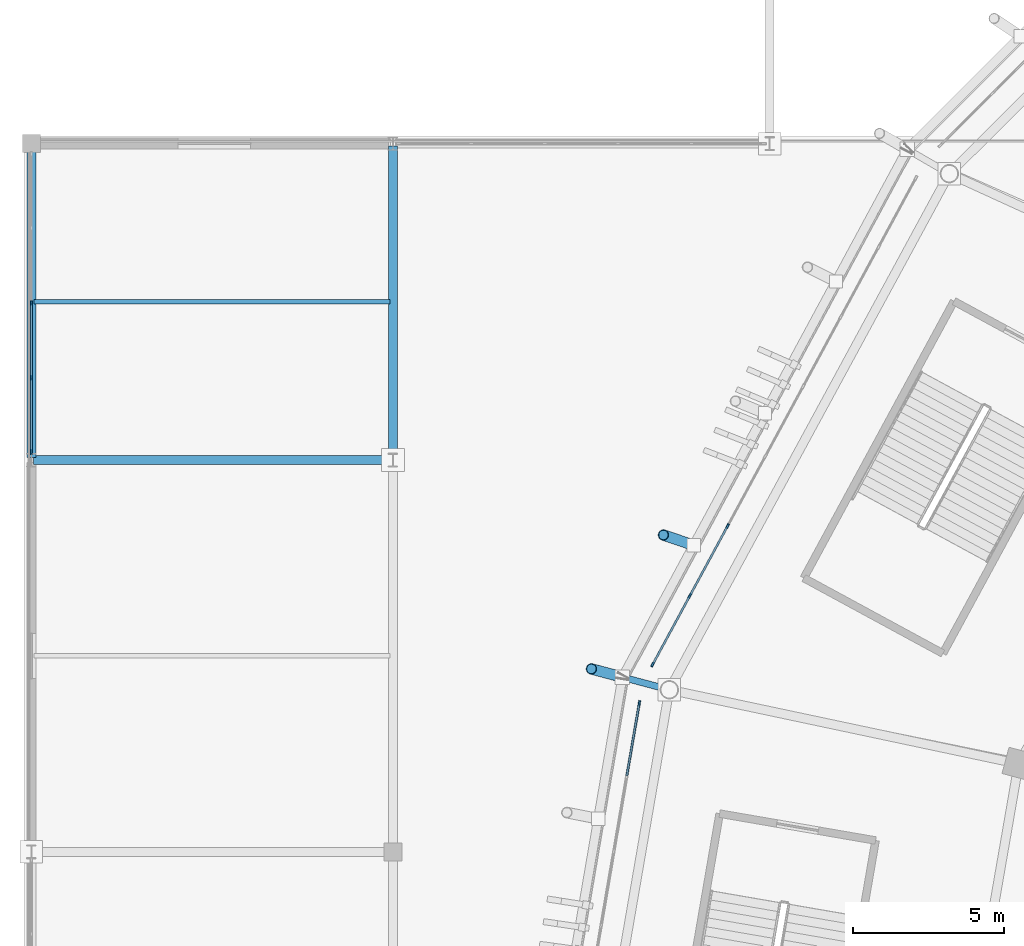
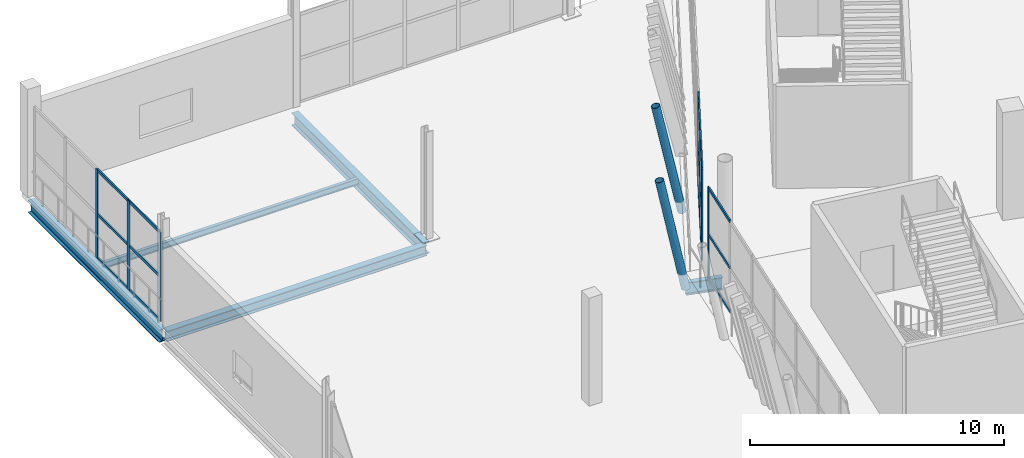
# One storey, part 43 of 178: 24 members, 5 beams, 3 elements without a shape of their own.
"""IFC4 building model written with IfcOpenShell, lengths in metres."""

from ifc_helpers import new_model, si_unit, direction, frame, origin, origin_2d, place, context, subcontext, project, spatial, rectangle, hollow_circle, i_section, extrude, material, material_profile, profile_set, type_object, element, aggregate, save


model = new_model("IFC4")

# Units and contexts
model_context = context("Model", 3, precision=1e-05, world=origin(), true_north=direction((0.0, 1.0)))
body_context = subcontext(model_context, "Body", "Model", "MODEL_VIEW")
ifc_project = project(units=[si_unit("LENGTHUNIT", "METRE"), si_unit("AREAUNIT", "SQUARE_METRE"), si_unit("VOLUMEUNIT", "CUBIC_METRE"), si_unit("PLANEANGLEUNIT", "RADIAN"), si_unit("MASSUNIT", "GRAM", prefix="KILO")], contexts=[model_context])

# Site, building, storey
site_placement = place(None, origin())
site = spatial("IfcSite", under=ifc_project, at=site_placement, CompositionType="ELEMENT")
building_placement = place(site_placement, origin())
building = spatial("IfcBuilding", under=site, at=building_placement, Name="Zlatoyarsky Gate Stadium", CompositionType="ELEMENT")
storey_placement = place(building_placement, frame((0.0, 0.0, 5.39990234375)))
storey = spatial("IfcBuildingStorey", under=building, at=storey_placement, Name="L01", CompositionType="ELEMENT", Elevation=5.39990234375)

# Curtain wall, members
ifc_material_1 = material(Name="Thermally broken anodised aluminium curtain wall", Category="aluminium")
curtain_wall_type_1 = type_object("IfcCurtainWallType", Name="UNITISED HOSPITALITY GLAZING L01", PredefinedType="USERDEFINED", material=ifc_material_1)
curtain_wall_1_placement = place(storey_placement, origin())
curtain_wall_1 = element("IfcCurtainWall", 1, at=curtain_wall_1_placement, inside=storey, type_object=curtain_wall_type_1, Name="Curtain wall CW-L01-10", ObjectType="UNITISED GLAZING", PredefinedType="USERDEFINED")
ifc_material_2 = material(Name="Anodised aluminium 6063-T6", Category="aluminium")
ifc_material_profile_1 = material_profile(ifc_material_2, rectangle(XDim=0.06494140625, YDim=0.159912109375, at=origin_2d()), Name="ALU 65X160")
ifc_profile_set_1 = profile_set([ifc_material_profile_1], Name="Anodised aluminium 6063-T6")
member_type_1 = type_object("IfcMemberType", Name="ALUMINIUM MULLION 65X160", PredefinedType="MULLION", material=ifc_profile_set_1)
member_1_placement = place(storey_placement, frame((23.1044921875, 103.8115234375, 0.0), z_axis=(0.0, 0.0, 1.0), x_axis=(0.879562033396, -0.475784225682, 0.0)))
member_1 = element("IfcMember", 2, at=member_1_placement, type_object=member_type_1, Name="CW-UG1 mullion 6", PredefinedType="MULLION", context=body_context, shape_type="SweptSolid", body=[
    extrude(rectangle(XDim=0.06494140625, YDim=0.159912109375, at=origin_2d()), origin(), (0.0, 0.0, 1.0), 4.400146484375),
])
member_2_placement = place(storey_placement, frame((21.8525390625, 101.497314453125, 0.0), z_axis=(0.0, 0.0, 1.0), x_axis=(0.879562033396, -0.475784225682, 0.0)))
member_2 = element("IfcMember", 3, at=member_2_placement, type_object=member_type_1, Name="CW-UG1 mullion 7", PredefinedType="MULLION", context=body_context, shape_type="SweptSolid", body=[
    extrude(rectangle(XDim=0.06494140625, YDim=0.159912109375, at=origin_2d()), origin(), (0.0, 0.0, 1.0), 4.400146484375),
])
member_3_placement = place(storey_placement, frame((20.6162109375, 99.211669921875, 0.0), z_axis=(0.0, 0.0, 1.0), x_axis=(0.879562033396, -0.475784225682, 0.0)))
member_3 = element("IfcMember", 4, at=member_3_placement, type_object=member_type_1, Name="CW-UG1 mullion 8", PredefinedType="MULLION", context=body_context, shape_type="SweptSolid", body=[
    extrude(rectangle(XDim=0.06494140625, YDim=0.159912109375, at=origin_2d()), origin(), (0.0, 0.0, 1.0), 4.400146484375),
])

# Curtain wall, member
curtain_wall_2_placement = place(storey_placement, origin())
curtain_wall_2 = element("IfcCurtainWall", 5, at=curtain_wall_2_placement, inside=storey, type_object=curtain_wall_type_1, Name="Curtain wall CW-L01-11", ObjectType="UNITISED GLAZING", PredefinedType="USERDEFINED")
member_4_placement = place(storey_placement, frame((20.17578125, 97.938720703125, 0.0), z_axis=(0.0, 0.0, 1.0), x_axis=(0.985538549547, -0.169451371657, 0.0)))
member_4 = element("IfcMember", 6, at=member_4_placement, type_object=member_type_1, Name="CW-UG1 mullion 1", PredefinedType="MULLION", context=body_context, shape_type="SweptSolid", body=[
    extrude(rectangle(XDim=0.06494140625, YDim=0.159912109375, at=origin_2d()), origin(), (0.0, 0.0, 1.0), 4.400146484375),
])

# Curtain wall, members
curtain_wall_type_2 = type_object("IfcCurtainWallType", Name="WINTER GARDEN CONSERVATORY GLAZING", PredefinedType="USERDEFINED", material=ifc_material_1)
curtain_wall_3_placement = place(storey_placement, origin())
curtain_wall_3 = element("IfcCurtainWall", 7, at=curtain_wall_3_placement, inside=storey, type_object=curtain_wall_type_2, Name="Curtain wall CW-V4_WEST-L01-167", ObjectType="UNITISED GLAZING", PredefinedType="USERDEFINED")
member_5_placement = place(storey_placement, frame((0.0, 106.26953125, 0.0), z_axis=(0.0, 0.0, 1.0), x_axis=(-1.0, 0.0, 0.0)))
member_5 = element("IfcMember", 8, at=member_5_placement, type_object=member_type_1, Name="CW-WG1 mullion 1", PredefinedType="MULLION", context=body_context, shape_type="SweptSolid", body=[
    extrude(rectangle(XDim=0.06494140625, YDim=0.159912109375, at=origin_2d()), origin(), (0.0, 0.0, 1.0), 4.300048828125),
])
member_6_placement = place(storey_placement, frame((0.0, 108.724853515625, 0.0), z_axis=(0.0, 0.0, 1.0), x_axis=(-1.0, 0.0, 0.0)))
member_6 = element("IfcMember", 9, at=member_6_placement, type_object=member_type_1, Name="CW-WG1 mullion 2", PredefinedType="MULLION", context=body_context, shape_type="SweptSolid", body=[
    extrude(rectangle(XDim=0.06494140625, YDim=0.159912109375, at=origin_2d()), origin(), (0.0, 0.0, 1.0), 4.300048828125),
])
member_7_placement = place(storey_placement, frame((0.0, 111.21240234375, 0.0), z_axis=(0.0, 0.0, 1.0), x_axis=(-1.0, 0.0, 0.0)))
member_7 = element("IfcMember", 10, at=member_7_placement, type_object=member_type_1, Name="CW-WG1 mullion 3", PredefinedType="MULLION", context=body_context, shape_type="SweptSolid", body=[
    extrude(rectangle(XDim=0.06494140625, YDim=0.159912109375, at=origin_2d()), origin(), (0.0, 0.0, 1.0), 4.300048828125),
])

# Member
ifc_material_profile_2 = material_profile(ifc_material_2, rectangle(XDim=0.06494140625, YDim=0.139892578125, at=origin_2d()), Name="ALU 65X140")
ifc_profile_set_2 = profile_set([ifc_material_profile_2], Name="Anodised aluminium 6063-T6")
member_type_2 = type_object("IfcMemberType", Name="ALUMINIUM TRANSOM 65X140", PredefinedType="USERDEFINED", material=ifc_profile_set_2)
member_8_placement = place(storey_placement, frame((23.0888671875, 103.782958984375, 0.03271484375), z_axis=(-0.475789628306, -0.879559110916, 0.0), x_axis=(0.879559110916, -0.475789628306, 0.0)))
member_8 = element("IfcMember", 11, at=member_8_placement, type_object=member_type_2, Name="CW-UG1 transom 6.1", ObjectType="TRANSOM", PredefinedType="USERDEFINED", context=body_context, shape_type="SweptSolid", body=[
    extrude(rectangle(XDim=0.06494140625, YDim=0.139892578125, at=origin_2d()), origin(), (0.0, 0.0, 1.0), 2.566162109375),
])

member_9_placement = place(storey_placement, frame((23.0888671875, 103.782958984375, 2.150146484375), z_axis=(-0.475789628306, -0.879559110916, 0.0), x_axis=(0.879559110916, -0.475789628306, 0.0)))
member_9 = element("IfcMember", 12, at=member_9_placement, type_object=member_type_2, Name="CW-UG1 transom 6.2", ObjectType="TRANSOM", PredefinedType="USERDEFINED", context=body_context, shape_type="SweptSolid", body=[
    extrude(rectangle(XDim=0.06494140625, YDim=0.139892578125, at=origin_2d()), origin(), (0.0, 0.0, 1.0), 2.566162109375),
])

member_10_placement = place(storey_placement, frame((23.0888671875, 103.782958984375, 4.36767578125), z_axis=(-0.475789628306, -0.879559110916, 0.0), x_axis=(0.879559110916, -0.475789628306, 0.0)))
member_10 = element("IfcMember", 13, at=member_10_placement, type_object=member_type_2, Name="CW-UG1 transom 6.3", ObjectType="TRANSOM", PredefinedType="USERDEFINED", context=body_context, shape_type="SweptSolid", body=[
    extrude(rectangle(XDim=0.06494140625, YDim=0.139892578125, at=origin_2d()), origin(), (0.0, 0.0, 1.0), 2.566162109375),
])

member_11_placement = place(storey_placement, frame((21.837158203125, 101.46875, 0.03271484375), z_axis=(-0.475811253632, -0.879547412546, 0.0), x_axis=(0.879547412546, -0.475811253632, 0.0)))
member_11 = element("IfcMember", 14, at=member_11_placement, type_object=member_type_2, Name="CW-UG1 transom 7.1", ObjectType="TRANSOM", PredefinedType="USERDEFINED", context=body_context, shape_type="SweptSolid", body=[
    extrude(rectangle(XDim=0.06494140625, YDim=0.139892578125, at=origin_2d()), origin(), (0.0, 0.0, 1.0), 2.53369140625),
])

member_12_placement = place(storey_placement, frame((21.837158203125, 101.46875, 2.150146484375), z_axis=(-0.475811253632, -0.879547412546, 0.0), x_axis=(0.879547412546, -0.475811253632, 0.0)))
member_12 = element("IfcMember", 15, at=member_12_placement, type_object=member_type_2, Name="CW-UG1 transom 7.2", ObjectType="TRANSOM", PredefinedType="USERDEFINED", context=body_context, shape_type="SweptSolid", body=[
    extrude(rectangle(XDim=0.06494140625, YDim=0.139892578125, at=origin_2d()), origin(), (0.0, 0.0, 1.0), 2.53369140625),
])

member_13_placement = place(storey_placement, frame((21.837158203125, 101.46875, 4.36767578125), z_axis=(-0.475811253632, -0.879547412546, 0.0), x_axis=(0.879547412546, -0.475811253632, 0.0)))
member_13 = element("IfcMember", 16, at=member_13_placement, type_object=member_type_2, Name="CW-UG1 transom 7.3", ObjectType="TRANSOM", PredefinedType="USERDEFINED", context=body_context, shape_type="SweptSolid", body=[
    extrude(rectangle(XDim=0.06494140625, YDim=0.139892578125, at=origin_2d()), origin(), (0.0, 0.0, 1.0), 2.53369140625),
])

aggregate(curtain_wall_1, [member_1, member_2, member_3, member_8, member_9, member_10, member_11, member_12, member_13])

member_14_placement = place(storey_placement, frame((20.170166015625, 97.90673828125, 0.03271484375), z_axis=(-0.169365127919, -0.985553374224, 0.0), x_axis=(0.985553374224, -0.169365127919, 0.0)))
member_14 = element("IfcMember", 17, at=member_14_placement, type_object=member_type_2, Name="CW-UG1 transom 1.1", ObjectType="TRANSOM", PredefinedType="USERDEFINED", context=body_context, shape_type="SweptSolid", body=[
    extrude(rectangle(XDim=0.06494140625, YDim=0.139892578125, at=origin_2d()), origin(), (0.0, 0.0, 1.0), 2.41455078125),
])

member_15_placement = place(storey_placement, frame((20.170166015625, 97.90673828125, 2.150146484375), z_axis=(-0.169365127919, -0.985553374224, 0.0), x_axis=(0.985553374224, -0.169365127919, 0.0)))
member_15 = element("IfcMember", 18, at=member_15_placement, type_object=member_type_2, Name="CW-UG1 transom 1.2", ObjectType="TRANSOM", PredefinedType="USERDEFINED", context=body_context, shape_type="SweptSolid", body=[
    extrude(rectangle(XDim=0.06494140625, YDim=0.139892578125, at=origin_2d()), origin(), (0.0, 0.0, 1.0), 2.41455078125),
])

member_16_placement = place(storey_placement, frame((20.170166015625, 97.90673828125, 4.36767578125), z_axis=(-0.169365127919, -0.985553374224, 0.0), x_axis=(0.985553374224, -0.169365127919, 0.0)))
member_16 = element("IfcMember", 19, at=member_16_placement, type_object=member_type_2, Name="CW-UG1 transom 1.3", ObjectType="TRANSOM", PredefinedType="USERDEFINED", context=body_context, shape_type="SweptSolid", body=[
    extrude(rectangle(XDim=0.06494140625, YDim=0.139892578125, at=origin_2d()), origin(), (0.0, 0.0, 1.0), 2.41455078125),
])

aggregate(curtain_wall_2, [member_4, member_14, member_15, member_16])

member_17_placement = place(storey_placement, frame((0.0, 106.302001953125, 0.03271484375), z_axis=(0.0, 1.0, 0.0), x_axis=(-1.0, 0.0, 0.0)))
member_17 = element("IfcMember", 20, at=member_17_placement, type_object=member_type_2, Name="CW-WG1 transom 1.1", ObjectType="TRANSOM", PredefinedType="USERDEFINED", context=body_context, shape_type="SweptSolid", body=[
    extrude(rectangle(XDim=0.06494140625, YDim=0.139892578125, at=origin_2d()), origin(), (0.0, 0.0, 1.0), 2.39013671875),
])

member_18_placement = place(storey_placement, frame((0.0, 106.302001953125, 2.150146484375), z_axis=(0.0, 1.0, 0.0), x_axis=(-1.0, 0.0, 0.0)))
member_18 = element("IfcMember", 21, at=member_18_placement, type_object=member_type_2, Name="CW-WG1 transom 1.2", ObjectType="TRANSOM", PredefinedType="USERDEFINED", context=body_context, shape_type="SweptSolid", body=[
    extrude(rectangle(XDim=0.06494140625, YDim=0.139892578125, at=origin_2d()), origin(), (0.0, 0.0, 1.0), 2.39013671875),
])

member_19_placement = place(storey_placement, frame((0.0, 106.302001953125, 4.267578125), z_axis=(0.0, 1.0, 0.0), x_axis=(-1.0, 0.0, 0.0)))
member_19 = element("IfcMember", 22, at=member_19_placement, type_object=member_type_2, Name="CW-WG1 transom 1.3", ObjectType="TRANSOM", PredefinedType="USERDEFINED", context=body_context, shape_type="SweptSolid", body=[
    extrude(rectangle(XDim=0.06494140625, YDim=0.139892578125, at=origin_2d()), origin(), (0.0, 0.0, 1.0), 2.39013671875),
])

member_20_placement = place(storey_placement, frame((0.0, 108.75732421875, 0.03271484375), z_axis=(0.0, 1.0, 0.0), x_axis=(-1.0, 0.0, 0.0)))
member_20 = element("IfcMember", 23, at=member_20_placement, type_object=member_type_2, Name="CW-WG1 transom 2.1", ObjectType="TRANSOM", PredefinedType="USERDEFINED", context=body_context, shape_type="SweptSolid", body=[
    extrude(rectangle(XDim=0.06494140625, YDim=0.139892578125, at=origin_2d()), origin(), (0.0, 0.0, 1.0), 2.422607421875),
])

member_21_placement = place(storey_placement, frame((0.0, 108.75732421875, 2.150146484375), z_axis=(0.0, 1.0, 0.0), x_axis=(-1.0, 0.0, 0.0)))
member_21 = element("IfcMember", 24, at=member_21_placement, type_object=member_type_2, Name="CW-WG1 transom 2.2", ObjectType="TRANSOM", PredefinedType="USERDEFINED", context=body_context, shape_type="SweptSolid", body=[
    extrude(rectangle(XDim=0.06494140625, YDim=0.139892578125, at=origin_2d()), origin(), (0.0, 0.0, 1.0), 2.422607421875),
])

member_22_placement = place(storey_placement, frame((0.0, 108.75732421875, 4.267578125), z_axis=(0.0, 1.0, 0.0), x_axis=(-1.0, 0.0, 0.0)))
member_22 = element("IfcMember", 25, at=member_22_placement, type_object=member_type_2, Name="CW-WG1 transom 2.3", ObjectType="TRANSOM", PredefinedType="USERDEFINED", context=body_context, shape_type="SweptSolid", body=[
    extrude(rectangle(XDim=0.06494140625, YDim=0.139892578125, at=origin_2d()), origin(), (0.0, 0.0, 1.0), 2.422607421875),
])

aggregate(curtain_wall_3, [member_5, member_6, member_7, member_17, member_18, member_19, member_20, member_21, member_22])

# Beam
ifc_material_3 = material(Name="Steel S355", Category="steel")
ifc_material_profile_3 = material_profile(ifc_material_3, i_section(OverallWidth=0.219970703125, OverallDepth=0.60009765625, WebThickness=0.011962890625, FlangeThickness=0.01904296875, FilletRadius=0.02392578125, at=origin_2d()), Name="IPE 600")
ifc_profile_set_3 = profile_set([ifc_material_profile_3], Name="Steel S355")
beam_type_1 = type_object("IfcBeamType", Name="STEEL CANTILEVER FLOOR BEAM IPE 600", PredefinedType="BEAM", material=ifc_profile_set_3)
beam_1_placement = place(storey_placement, frame((21.052978515625, 98.4072265625, -0.760009765625), z_axis=(-0.965923890569, 0.2588262692, 0.0), x_axis=(-0.2588262692, -0.965923890569, 0.0)))
element("IfcBeam", 26, at=beam_1_placement, inside=storey, type_object=beam_type_1, Name="Beam B-IPE600 BM-L01-OUT-11", PredefinedType="BEAM", context=body_context, shape_type="SweptSolid", body=[
    extrude(i_section(OverallWidth=0.219970703125, OverallDepth=0.60009765625, WebThickness=0.011962890625, FlangeThickness=0.01904296875, FilletRadius=0.02392578125, at=origin_2d()), origin(), (0.0, 0.0, 1.0), 1.488525390625),
])

# Members
ifc_material_profile_4 = material_profile(ifc_material_3, hollow_circle(Radius=0.177734375, WallThickness=0.02001953125, at=origin_2d()), Name="CHS 355.6X20")
ifc_profile_set_4 = profile_set([ifc_material_profile_4], Name="Steel S355")
member_type_3 = type_object("IfcMemberType", Name="STEEL LEANING RIB RING STRUT CHS 355.6X20", PredefinedType="STRUT", material=ifc_profile_set_4)
member_23_placement = place(storey_placement, frame((19.615234375, 98.79248046875, -0.760009765625), z_axis=(-0.187969007318, 0.050341687728, 0.980883972121), x_axis=(-0.258701784688, -0.965957238494, 0.0)))
element("IfcMember", 27, at=member_23_placement, inside=storey, type_object=member_type_3, Name="Leaning ring strut 11 L01 to L02", PredefinedType="STRUT", context=body_context, shape_type="SweptSolid", body=[
    extrude(hollow_circle(Radius=0.177734375, WallThickness=0.02001953125, at=origin_2d()), origin(), (0.0, 0.0, 1.0), 5.48486328125),
])
member_24_placement = place(storey_placement, frame((21.97802734375, 103.17041015625, -0.5498046875), z_axis=(-0.18856127959, 0.063938499035, 0.979977812086), x_axis=(-0.321126768229, -0.947036218276, 0.0)))
element("IfcMember", 28, at=member_24_placement, inside=storey, type_object=member_type_3, Name="Outward-leaning bowl louvre fin rib L01 10-3", PredefinedType="STRUT", context=body_context, shape_type="SweptSolid", body=[
    extrude(hollow_circle(Radius=0.177734375, WallThickness=0.02001953125, at=origin_2d()), origin(), (0.0, 0.0, 1.0), 5.32666015625),
])

# Beams
ifc_material_profile_5 = material_profile(ifc_material_3, i_section(OverallWidth=0.300048828125, OverallDepth=0.5, WebThickness=0.014404296875, FlangeThickness=0.028076171875, FilletRadius=0.027099609375, at=origin_2d()), Name="HEB 500")
ifc_profile_set_5 = profile_set([ifc_material_profile_5], Name="Steel S355")
beam_type_2 = type_object("IfcBeamType", Name="STEEL PRIMARY GIRDER HEB 500", PredefinedType="BEAM", material=ifc_profile_set_5)
beam_2_placement = place(storey_placement, frame((0.080078125, 106.0, -0.5498046875), z_axis=(1.0, 0.0, 0.0), x_axis=(0.0, 1.0, 0.0)))
element("IfcBeam", 29, at=beam_2_placement, inside=storey, type_object=beam_type_2, Name="Beam G-HEB500 BM-L01-WGX-1-K", PredefinedType="BEAM", context=body_context, shape_type="SweptSolid", body=[
    extrude(i_section(OverallWidth=0.300048828125, OverallDepth=0.5, WebThickness=0.014404296875, FlangeThickness=0.028076171875, FilletRadius=0.027099609375, at=origin_2d()), origin(), (0.0, 0.0, 1.0), 11.83984375),
])
ifc_material_profile_6 = material_profile(ifc_material_3, i_section(OverallWidth=0.300048828125, OverallDepth=0.60009765625, WebThickness=0.015380859375, FlangeThickness=0.030029296875, FilletRadius=0.027099609375, at=origin_2d()), Name="HEB 600")
ifc_profile_set_6 = profile_set([ifc_material_profile_6], Name="Steel S355")
beam_type_3 = type_object("IfcBeamType", Name="STEEL PRIMARY GIRDER HEB 600", PredefinedType="BEAM", material=ifc_profile_set_6)
for number, where, z_axis, x_axis, name in (
    (30, (0.0, 106.080078125, -0.599853515625), (0.0, 1.0, 0.0), (-1.0, 0.0, 0.0), "Beam G-HEB600 BM-L01-WGY-1-K"),
    (31, (12.0, 106.080078125, -0.599853515625), (0.0, 1.0, 0.0), (-1.0, 0.0, 0.0), "Beam G-HEB600 BM-L01-WGY-2-K"),
):
    element("IfcBeam", number, at=place(storey_placement, frame(where, z_axis=z_axis, x_axis=x_axis)), inside=storey, type_object=beam_type_3, Name=name, PredefinedType="BEAM", context=body_context, shape_type="SweptSolid", body=[
        extrude(i_section(OverallWidth=0.300048828125, OverallDepth=0.60009765625, WebThickness=0.015380859375, FlangeThickness=0.030029296875, FilletRadius=0.027099609375, at=origin_2d()), origin(), (0.0, 0.0, 1.0), 10.33984375),
    ])
ifc_material_profile_7 = material_profile(ifc_material_3, i_section(OverallWidth=0.14990234375, OverallDepth=0.300048828125, WebThickness=0.007080078125, FlangeThickness=0.0107421875, FilletRadius=0.014892578125, at=origin_2d()), Name="IPE 300")
ifc_profile_set_7 = profile_set([ifc_material_profile_7], Name="Steel S355")
beam_type_4 = type_object("IfcBeamType", Name="STEEL SECONDARY JOIST IPE 300", PredefinedType="JOIST", material=ifc_profile_set_7)
beam_3_placement = place(storey_placement, frame((0.090087890625, 111.25, -0.449951171875), z_axis=(1.0, 0.0, 0.0), x_axis=(0.0, 1.0, 0.0)))
element("IfcBeam", 32, at=beam_3_placement, inside=storey, type_object=beam_type_4, Name="Beam J-IPE300 JST-L01-1-K", PredefinedType="JOIST", context=body_context, shape_type="SweptSolid", body=[
    extrude(i_section(OverallWidth=0.14990234375, OverallDepth=0.300048828125, WebThickness=0.007080078125, FlangeThickness=0.0107421875, FilletRadius=0.014892578125, at=origin_2d()), origin(), (0.0, 0.0, 1.0), 11.81982421875),
])

save(model, "model.ifc")
